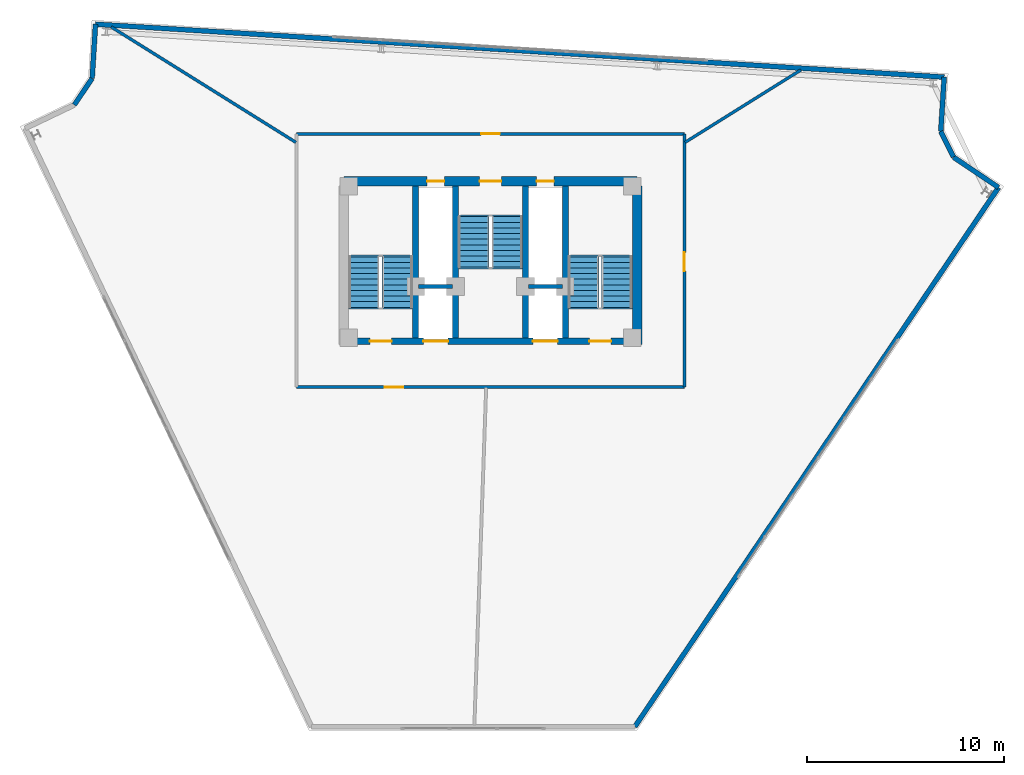
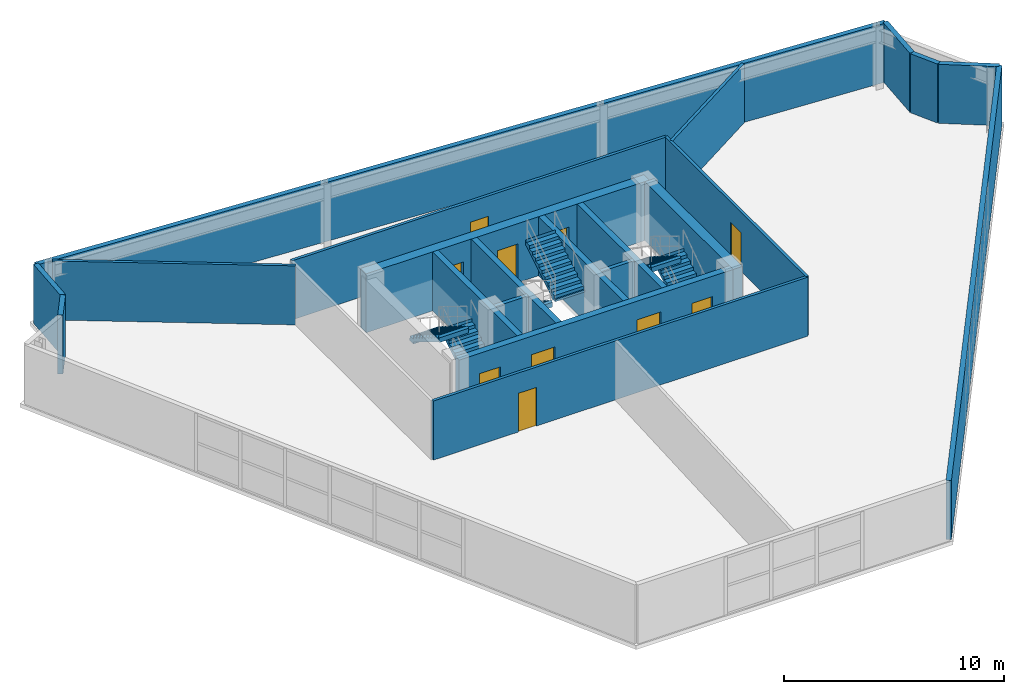
# One storey, part 7 of 8: 21 walls, 10 doors, 6 stair flights, 10 openings, 3 elements without a shape of their own.
"""IFC4 building model written with IfcOpenShell, lengths in metres."""

from ifc_helpers import new_model, si_unit, direction, frame, frame_2d, origin, place, context, subcontext, project, spatial, polyline, rectangle, outline, extrude, material, layer, layer_set, type_object, element, fill, aggregate, save


model = new_model("IFC4")

# Units and contexts
model_context = context("Model", 3, precision=1e-05, world=origin(), true_north=direction((0.0, 1.0)))
body_context = subcontext(model_context, "Body", "Model", "MODEL_VIEW")
ifc_project = project(units=[si_unit("LENGTHUNIT", "METRE"), si_unit("AREAUNIT", "SQUARE_METRE"), si_unit("VOLUMEUNIT", "CUBIC_METRE"), si_unit("PLANEANGLEUNIT", "RADIAN"), si_unit("MASSUNIT", "GRAM", prefix="KILO")], contexts=[model_context])

# Site, building, storey
site_placement = place(None, origin())
site = spatial("IfcSite", under=ifc_project, at=site_placement, CompositionType="ELEMENT")
building_placement = place(site_placement, origin())
building = spatial("IfcBuilding", under=site, at=building_placement, Name="Apsidion Concourse Tower", CompositionType="ELEMENT")
storey_placement = place(building_placement, frame((0.0, 0.0, 336.0)))
storey = spatial("IfcBuildingStorey", under=building, at=storey_placement, Name="L79", CompositionType="ELEMENT", Elevation=336.0)

# Walls
ifc_material_1 = material(Name="Precast concrete C40/50", Category="concrete")
ifc_layer_1 = layer(ifc_material_1, 0.25)
ifc_layer_set_1 = layer_set([ifc_layer_1], Name="Precast concrete C40/50")
wall_type_1 = type_object("IfcWallType", Name="WL-EXT-250", PredefinedType="STANDARD", material=ifc_layer_set_1)
wall_1_placement = place(storey_placement, frame((-21.134521484375, 13.278076171875, 0.0), z_axis=(0.0, 0.0, 1.0), x_axis=(0.559107950815, 0.829094867512, 0.0)))
element("IfcWall", 1, at=wall_1_placement, inside=storey, type_object=wall_type_1, Name="L79 Precast Stone Facade Wall 02", PredefinedType="STANDARD", context=body_context, shape_type="SweptSolid", body=[
    extrude(rectangle(XDim=1.620361328125, YDim=0.25, at=frame_2d((0.81005859375, 0.0))), origin(), (0.0, 0.0, 1.0), 3.280029296875),
])
wall_2_placement = place(storey_placement, frame((-20.228515625, 14.62158203125, 0.0), z_axis=(0.0, 0.0, 1.0), x_axis=(0.062361765106, 0.998053610911, 0.0)))
element("IfcWall", 2, at=wall_2_placement, inside=storey, type_object=wall_type_1, Name="L79 Precast Stone Facade Wall 03", PredefinedType="STANDARD", context=body_context, shape_type="SweptSolid", body=[
    extrude(rectangle(XDim=2.760009765625, YDim=0.25, at=frame_2d((1.3798828125, 0.0))), origin(), (0.0, 0.0, 1.0), 3.280029296875),
])
wall_3_placement = place(storey_placement, frame((-20.056396484375, 17.376220703125, 0.0), z_axis=(0.0, 0.0, 1.0), x_axis=(0.998061236898, -0.06223959674, 0.0)))
element("IfcWall", 3, at=wall_3_placement, inside=storey, type_object=wall_type_1, Name="L79 Precast Stone Facade Wall 04", PredefinedType="STANDARD", context=body_context, shape_type="SweptSolid", body=[
    extrude(rectangle(XDim=43.179931640625, YDim=0.25, at=frame_2d((21.58984375, 0.0))), origin(), (0.0, 0.0, 1.0), 3.280029296875),
])
wall_4_placement = place(storey_placement, frame((23.039794921875, 14.688720703125, 0.0), z_axis=(0.0, 0.0, 1.0), x_axis=(-0.062295651102, -0.998057739739, 0.0)))
element("IfcWall", 4, at=wall_4_placement, inside=storey, type_object=wall_type_1, Name="L79 Precast Stone Facade Wall 05", PredefinedType="STANDARD", context=body_context, shape_type="SweptSolid", body=[
    extrude(rectangle(XDim=2.759033203125, YDim=0.25, at=frame_2d((1.37939453125, 0.0))), origin(), (0.0, 0.0, 1.0), 3.280029296875),
])
wall_5_placement = place(storey_placement, frame((22.867919921875, 11.93505859375, 0.0), z_axis=(0.0, 0.0, 1.0), x_axis=(0.441785524615, -0.897120699929, 0.0)))
element("IfcWall", 5, at=wall_5_placement, inside=storey, type_object=wall_type_1, Name="L79 Precast Stone Facade Wall 06", PredefinedType="STANDARD", context=body_context, shape_type="SweptSolid", body=[
    extrude(rectangle(XDim=1.45947265625, YDim=0.25, at=frame_2d((0.729736328125, 0.0))), origin(), (0.0, 0.0, 1.0), 3.280029296875),
])
wall_6_placement = place(storey_placement, frame((23.5126953125, 10.625732421875, 0.0), z_axis=(0.0, 0.0, 1.0), x_axis=(0.829056864924, -0.559164300294, 0.0)))
element("IfcWall", 6, at=wall_6_placement, inside=storey, type_object=wall_type_1, Name="L79 Precast Stone Facade Wall 07", PredefinedType="STANDARD", context=body_context, shape_type="SweptSolid", body=[
    extrude(rectangle(XDim=2.759033203125, YDim=0.25, at=frame_2d((1.37939453125, 0.0))), origin(), (0.0, 0.0, 1.0), 3.280029296875),
])
wall_7_placement = place(storey_placement, frame((25.800048828125, 9.0830078125, 0.0), z_axis=(0.0, 0.0, 1.0), x_axis=(-0.559195190786, -0.829036029737, 0.0)))
element("IfcWall", 7, at=wall_7_placement, inside=storey, type_object=wall_type_1, Name="L79 Precast Stone Facade Wall 08", PredefinedType="STANDARD", context=body_context, shape_type="SweptSolid", body=[
    extrude(rectangle(XDim=33.030029296875, YDim=0.25, at=frame_2d((16.51513671875, 0.0))), origin(), (0.0, 0.0, 1.0), 3.280029296875),
])

# Wall, opening, door
ifc_material_2 = material(Name="Gypsum plasterboard partition")
ifc_layer_2 = layer(ifc_material_2, 0.14990234375)
ifc_layer_set_2 = layer_set([ifc_layer_2], Name="Gypsum plasterboard partition")
wall_type_2 = type_object("IfcWallType", Name="WL-INT-PAR-150", PredefinedType="PARTITIONING", material=ifc_layer_set_2)
wall_8_placement = place(storey_placement, frame((-9.85009765625, 11.800048828125, 0.0), z_axis=(0.0, 0.0, 1.0), x_axis=(1.0, 0.0, 0.0)))
wall_8 = element("IfcWall", 8, at=wall_8_placement, inside=storey, type_object=wall_type_2, Name="L79 Interior Partition WL-L79-CCR-1", PredefinedType="PARTITIONING", context=body_context, shape_type="SweptSolid", body=[
    extrude(rectangle(XDim=19.7001953125, YDim=0.14990234375, at=frame_2d((9.85009765625, 0.0))), origin(), (0.0, 0.0, 1.0), 3.280029296875),
])
opening_1_placement = place(wall_8_placement, frame((9.375, 0.0, 0.0)))
opening_1 = element("IfcOpeningElement", 9, at=opening_1_placement, cuts=wall_8, Name="Opening D-04L", PredefinedType="OPENING", context=body_context, shape_type="SweptSolid", body=[
    extrude(rectangle(XDim=0.949951171875, YDim=2.14990234375, at=frame_2d((0.47509765625, 1.074951171875))), frame((0.0, 0.0849609375, 0.0), z_axis=(0.0, -1.0, 0.0), x_axis=(1.0, 0.0, 0.0)), (0.0, 0.0, 1.0), 0.169921875),
])
ifc_material_3 = material(Name="Brushed stainless steel 316", Category="steel")
door_type_1 = type_object("IfcDoorType", Name="DR-INT-D04L", OperationType="SINGLE_SWING_LEFT", PredefinedType="DOOR", material=ifc_material_3)
door_1_placement = place(opening_1_placement, origin())
door_1 = element("IfcDoor", 10, at=door_1_placement, inside=storey, type_object=door_type_1, Name="L79 Crown Plant Door 3", OperationType="SINGLE_SWING_LEFT", OverallHeight=2.14990234375, OverallWidth=0.949951171875, PredefinedType="DOOR", context=body_context, shape_type="SweptSolid", body=[
    extrude(rectangle(XDim=0.949951171875, YDim=2.14990234375, at=frame_2d((0.47509765625, 1.074951171875))), frame((0.0, 0.02490234375, 0.0), z_axis=(0.0, -1.0, 0.0), x_axis=(1.0, 0.0, 0.0)), (0.0, 0.0, 1.0), 0.050048828125),
])
fill(opening_1, door_1)

wall_9_placement = place(storey_placement, frame((9.85009765625, 11.800048828125, 0.0), z_axis=(0.0, 0.0, 1.0), x_axis=(0.0, -1.0, 0.0)))
wall_9 = element("IfcWall", 11, at=wall_9_placement, inside=storey, type_object=wall_type_2, Name="L79 Interior Partition WL-L79-CCR-2", PredefinedType="PARTITIONING", context=body_context, shape_type="SweptSolid", body=[
    extrude(rectangle(XDim=12.85498046875, YDim=0.14990234375, at=frame_2d((6.427490234375, 0.0))), origin(), (0.0, 0.0, 1.0), 3.280029296875),
])
opening_2_placement = place(wall_9_placement, frame((6.015380859375, 0.0, 0.0)))
opening_2 = element("IfcOpeningElement", 12, at=opening_2_placement, cuts=wall_9, Name="Opening D-04R", PredefinedType="OPENING", context=body_context, shape_type="SweptSolid", body=[
    extrude(rectangle(XDim=0.949951171875, YDim=2.14990234375, at=frame_2d((0.47509765625, 1.074951171875))), frame((0.0, 0.0849609375, 0.0), z_axis=(0.0, -1.0, 0.0), x_axis=(1.0, 0.0, 0.0)), (0.0, 0.0, 1.0), 0.169921875),
])
door_type_2 = type_object("IfcDoorType", Name="DR-INT-D04R", OperationType="SINGLE_SWING_RIGHT", PredefinedType="DOOR", material=ifc_material_3)
door_2_placement = place(opening_2_placement, origin())
door_2 = element("IfcDoor", 13, at=door_2_placement, inside=storey, type_object=door_type_2, Name="L79 Crown Plant Door 2", OperationType="SINGLE_SWING_RIGHT", OverallHeight=2.14990234375, OverallWidth=0.949951171875, PredefinedType="DOOR", context=body_context, shape_type="SweptSolid", body=[
    extrude(rectangle(XDim=0.949951171875, YDim=2.14990234375, at=frame_2d((0.47509765625, 1.074951171875))), frame((0.0, 0.02490234375, 0.0), z_axis=(0.0, -1.0, 0.0), x_axis=(1.0, 0.0, 0.0)), (0.0, 0.0, 1.0), 0.050048828125),
])
fill(opening_2, door_2)

wall_10_placement = place(storey_placement, frame((9.85009765625, -1.054931640625, 0.0), z_axis=(0.0, 0.0, 1.0), x_axis=(-1.0, 0.0, 0.0)))
wall_10 = element("IfcWall", 14, at=wall_10_placement, inside=storey, type_object=wall_type_2, Name="L79 Interior Partition WL-L79-CCR-3", PredefinedType="PARTITIONING", context=body_context, shape_type="SweptSolid", body=[
    extrude(rectangle(XDim=19.7001953125, YDim=0.14990234375, at=frame_2d((9.85009765625, 0.0))), origin(), (0.0, 0.0, 1.0), 3.280029296875),
])
opening_3_placement = place(wall_10_placement, frame((14.2802734375, 0.0, 0.0)))
opening_3 = element("IfcOpeningElement", 15, at=opening_3_placement, cuts=wall_10, Name="Opening D-04L", PredefinedType="OPENING", context=body_context, shape_type="SweptSolid", body=[
    extrude(rectangle(XDim=0.949951171875, YDim=2.14990234375, at=frame_2d((0.47509765625, 1.074951171875))), frame((0.0, 0.0849609375, 0.0), z_axis=(0.0, -1.0, 0.0), x_axis=(1.0, 0.0, 0.0)), (0.0, 0.0, 1.0), 0.169921875),
])
door_3_placement = place(opening_3_placement, origin())
door_3 = element("IfcDoor", 16, at=door_3_placement, inside=storey, type_object=door_type_1, Name="L79 Crown Plant Door 1", OperationType="SINGLE_SWING_LEFT", OverallHeight=2.14990234375, OverallWidth=0.949951171875, PredefinedType="DOOR", context=body_context, shape_type="SweptSolid", body=[
    extrude(rectangle(XDim=0.949951171875, YDim=2.14990234375, at=frame_2d((0.47509765625, 1.074951171875))), frame((0.0, 0.02490234375, 0.0), z_axis=(0.0, -1.0, 0.0), x_axis=(1.0, 0.0, 0.0)), (0.0, 0.0, 1.0), 0.050048828125),
])
fill(opening_3, door_3)

# Walls
wall_11_placement = place(storey_placement, frame((9.8798828125, 11.373779296875, 0.0), z_axis=(0.0, 0.0, 1.0), x_axis=(0.848061528104, 0.529897768017, 0.0)))
element("IfcWall", 17, at=wall_11_placement, inside=storey, type_object=wall_type_2, Name="L79 Interior Partition WL-L79-CRD-1-1", PredefinedType="PARTITIONING", context=body_context, shape_type="SweptSolid", body=[
    extrude(rectangle(XDim=6.94140625, YDim=0.14990234375, at=frame_2d((3.470703125, 0.0))), origin(), (0.0, 0.0, 1.0), 3.280029296875),
])
wall_12_placement = place(storey_placement, frame((-9.8798828125, 11.373779296875, 0.0), z_axis=(0.0, 0.0, 1.0), x_axis=(-0.848047887242, 0.529919598567, 0.0)))
element("IfcWall", 18, at=wall_12_placement, inside=storey, type_object=wall_type_2, Name="L79 Interior Partition WL-L79-CRD-2-1", PredefinedType="PARTITIONING", context=body_context, shape_type="SweptSolid", body=[
    extrude(rectangle(XDim=11.06396484375, YDim=0.14990234375, at=frame_2d((5.531982421875, 0.0))), origin(), (0.0, 0.0, 1.0), 3.280029296875),
])
ifc_layer_3 = layer(ifc_material_2, 0.199951171875)
ifc_layer_set_3 = layer_set([ifc_layer_3], Name="Gypsum plasterboard partition")
wall_type_3 = type_object("IfcWallType", Name="WL-INT-PAR-200", PredefinedType="PARTITIONING", material=ifc_layer_set_3)
for number, where, z_axis, x_axis, name in (
    (19, (-3.64990234375, 4.050048828125, 0.0), (0.0, 0.0, 1.0), (1.0, 0.0, 0.0), "L79 Interior Partition WL-L79-FF1-N"),
    (20, (1.919921875, 4.050048828125, 0.0), (0.0, 0.0, 1.0), (1.0, 0.0, 0.0), "L79 Interior Partition WL-L79-FF2-N"),
):
    element("IfcWall", number, at=place(storey_placement, frame(where, z_axis=z_axis, x_axis=x_axis)), inside=storey, type_object=wall_type_3, Name=name, PredefinedType="PARTITIONING", context=body_context, shape_type="SweptSolid", body=[
        extrude(rectangle(XDim=1.72998046875, YDim=0.199951171875, at=frame_2d((0.864990234375, 0.0))), origin(), (0.0, 0.0, 1.0), 3.280029296875),
    ])
ifc_material_4 = material(Name="Concrete C50/60", Category="concrete")
ifc_layer_4 = layer(ifc_material_4, 0.300048828125)
ifc_layer_set_4 = layer_set([ifc_layer_4], Name="Concrete C50/60")
wall_type_4 = type_object("IfcWallType", Name="WL-SH-300", PredefinedType="SHEAR", material=ifc_layer_set_4)
for number, where, z_axis, x_axis, name in (
    (21, (-3.800048828125, 1.449951171875, 0.0), (0.0, 0.0, 1.0), (0.0, 1.0, 0.0), "L79 Central Core Shear Wall V1"),
    (22, (-1.77490234375, 1.449951171875, 0.0), (0.0, 0.0, 1.0), (0.0, 1.0, 0.0), "L79 Central Core Shear Wall V2"),
    (23, (1.77490234375, 1.449951171875, 0.0), (0.0, 0.0, 1.0), (0.0, 1.0, 0.0), "L79 Central Core Shear Wall V3"),
    (24, (3.800048828125, 1.449951171875, 0.0), (0.0, 0.0, 1.0), (0.0, 1.0, 0.0), "L79 Central Core Shear Wall V4"),
):
    element("IfcWall", number, at=place(storey_placement, frame(where, z_axis=z_axis, x_axis=x_axis)), inside=storey, type_object=wall_type_4, Name=name, PredefinedType="SHEAR", context=body_context, shape_type="SweptSolid", body=[
        extrude(rectangle(XDim=7.699951171875, YDim=0.300048828125, at=frame_2d((3.85009765625, 0.0))), origin(), (0.0, 0.0, 1.0), 3.280029296875),
    ])

# Wall, openings, doors
ifc_layer_5 = layer(ifc_material_4, 0.35009765625)
ifc_layer_set_5 = layer_set([ifc_layer_5], Name="Concrete C50/60")
wall_type_5 = type_object("IfcWallType", Name="WL-SH-350", PredefinedType="SHEAR", material=ifc_layer_set_5)
wall_13_placement = place(storey_placement, frame((-7.199951171875, 1.27490234375, 0.0), z_axis=(0.0, 0.0, 1.0), x_axis=(1.0, 0.0, 0.0)))
wall_13 = element("IfcWall", 25, at=wall_13_placement, inside=storey, type_object=wall_type_5, Name="L79 Central Core Shear Wall M1", PredefinedType="SHEAR", context=body_context, shape_type="SweptSolid", body=[
    extrude(rectangle(XDim=14.39990234375, YDim=0.35009765625, at=frame_2d((7.199951171875, 0.0))), origin(), (0.0, 0.0, 1.0), 3.280029296875),
])
opening_4_placement = place(wall_13_placement, frame((3.794921875, 0.0, 0.0)))
opening_4 = element("IfcOpeningElement", 26, at=opening_4_placement, cuts=wall_13, Name="Opening LD-FF", PredefinedType="OPENING", context=body_context, shape_type="SweptSolid", body=[
    extrude(rectangle(XDim=1.25, YDim=2.25, at=frame_2d((0.625, 1.125))), frame((0.0, 0.18505859375, 0.0), z_axis=(0.0, -1.0, 0.0), x_axis=(1.0, 0.0, 0.0)), (0.0, 0.0, 1.0), 0.3701171875),
])
opening_5_placement = place(wall_13_placement, frame((9.35498046875, 0.0, 0.0)))
opening_5 = element("IfcOpeningElement", 27, at=opening_5_placement, cuts=wall_13, Name="Opening LD-FF", PredefinedType="OPENING", context=body_context, shape_type="SweptSolid", body=[
    extrude(rectangle(XDim=1.25, YDim=2.25, at=frame_2d((0.625, 1.125))), frame((0.0, 0.18505859375, 0.0), z_axis=(0.0, -1.0, 0.0), x_axis=(1.0, 0.0, 0.0)), (0.0, 0.0, 1.0), 0.3701171875),
])
opening_6_placement = place(wall_13_placement, frame((1.074951171875, 0.0, 0.0)))
opening_6 = element("IfcOpeningElement", 28, at=opening_6_placement, cuts=wall_13, Name="Opening D-STL", PredefinedType="OPENING", context=body_context, shape_type="SweptSolid", body=[
    extrude(rectangle(XDim=1.10009765625, YDim=2.14990234375, at=frame_2d((0.550048828125, 1.074951171875))), frame((0.0, 0.18505859375, 0.0), z_axis=(0.0, -1.0, 0.0), x_axis=(1.0, 0.0, 0.0)), (0.0, 0.0, 1.0), 0.3701171875),
])
opening_7_placement = place(wall_13_placement, frame((12.22509765625, 0.0, 0.0)))
opening_7 = element("IfcOpeningElement", 29, at=opening_7_placement, cuts=wall_13, Name="Opening D-STR", PredefinedType="OPENING", context=body_context, shape_type="SweptSolid", body=[
    extrude(rectangle(XDim=1.10009765625, YDim=2.14990234375, at=frame_2d((0.550048828125, 1.074951171875))), frame((0.0, 0.18505859375, 0.0), z_axis=(0.0, -1.0, 0.0), x_axis=(1.0, 0.0, 0.0)), (0.0, 0.0, 1.0), 0.3701171875),
])
door_type_3 = type_object("IfcDoorType", Name="DR-INT-ST1L", OperationType="SINGLE_SWING_LEFT", PredefinedType="DOOR", material=ifc_material_3)
door_4_placement = place(opening_6_placement, origin())
door_4 = element("IfcDoor", 30, at=door_4_placement, inside=storey, type_object=door_type_3, Name="L79 Core Exit Stair ST1 Door", OperationType="SINGLE_SWING_LEFT", OverallHeight=2.14990234375, OverallWidth=1.10009765625, PredefinedType="DOOR", context=body_context, shape_type="SweptSolid", body=[
    extrude(rectangle(XDim=1.10009765625, YDim=2.14990234375, at=frame_2d((0.550048828125, 1.074951171875))), frame((0.0, 0.02490234375, 0.0), z_axis=(0.0, -1.0, 0.0), x_axis=(1.0, 0.0, 0.0)), (0.0, 0.0, 1.0), 0.050048828125),
])
fill(opening_6, door_4)
door_type_4 = type_object("IfcDoorType", Name="DR-INT-ST1R", OperationType="SINGLE_SWING_RIGHT", PredefinedType="DOOR", material=ifc_material_3)
door_5_placement = place(opening_7_placement, origin())
door_5 = element("IfcDoor", 31, at=door_5_placement, inside=storey, type_object=door_type_4, Name="L79 Core Exit Stair ST2 Door", OperationType="SINGLE_SWING_RIGHT", OverallHeight=2.14990234375, OverallWidth=1.10009765625, PredefinedType="DOOR", context=body_context, shape_type="SweptSolid", body=[
    extrude(rectangle(XDim=1.10009765625, YDim=2.14990234375, at=frame_2d((0.550048828125, 1.074951171875))), frame((0.0, 0.02490234375, 0.0), z_axis=(0.0, -1.0, 0.0), x_axis=(1.0, 0.0, 0.0)), (0.0, 0.0, 1.0), 0.050048828125),
])
fill(opening_7, door_5)
door_type_5 = type_object("IfcDoorType", Name="DR-LD-FSAE", OperationType="DOUBLE_DOOR_SLIDING", PredefinedType="DOOR", material=ifc_material_3)
door_6_placement = place(opening_4_placement, origin())
door_6 = element("IfcDoor", 32, at=door_6_placement, inside=storey, type_object=door_type_5, Name="L79 Lift Landing Door FF1", OperationType="DOUBLE_DOOR_SLIDING", OverallHeight=2.25, OverallWidth=1.25, PredefinedType="DOOR", context=body_context, shape_type="SweptSolid", body=[
    extrude(rectangle(XDim=1.25, YDim=2.25, at=frame_2d((0.625, 1.125))), frame((0.0, 0.02490234375, 0.0), z_axis=(0.0, -1.0, 0.0), x_axis=(1.0, 0.0, 0.0)), (0.0, 0.0, 1.0), 0.050048828125),
])
fill(opening_4, door_6)
door_7_placement = place(opening_5_placement, origin())
door_7 = element("IfcDoor", 33, at=door_7_placement, inside=storey, type_object=door_type_5, Name="L79 Lift Landing Door FF2", OperationType="DOUBLE_DOOR_SLIDING", OverallHeight=2.25, OverallWidth=1.25, PredefinedType="DOOR", context=body_context, shape_type="SweptSolid", body=[
    extrude(rectangle(XDim=1.25, YDim=2.25, at=frame_2d((0.625, 1.125))), frame((0.0, 0.02490234375, 0.0), z_axis=(0.0, -1.0, 0.0), x_axis=(1.0, 0.0, 0.0)), (0.0, 0.0, 1.0), 0.050048828125),
])
fill(opening_5, door_7)

ifc_layer_6 = layer(ifc_material_4, 0.5)
ifc_layer_set_6 = layer_set([ifc_layer_6], Name="Concrete C50/60")
wall_type_6 = type_object("IfcWallType", Name="WL-SH-500", PredefinedType="SHEAR", material=ifc_layer_set_6)
wall_14_placement = place(storey_placement, frame((-7.449951171875, 9.39990234375, 0.0), z_axis=(0.0, 0.0, 1.0), x_axis=(1.0, 0.0, 0.0)))
wall_14 = element("IfcWall", 34, at=wall_14_placement, inside=storey, type_object=wall_type_6, Name="L79 Central Core Shear Wall N", PredefinedType="SHEAR", context=body_context, shape_type="SweptSolid", body=[
    extrude(rectangle(XDim=14.89990234375, YDim=0.5, at=frame_2d((7.449951171875, 0.0))), origin(), (0.0, 0.0, 1.0), 3.280029296875),
])
opening_8_placement = place(wall_14_placement, frame((6.89990234375, 0.0, 0.0)))
opening_8 = element("IfcOpeningElement", 35, at=opening_8_placement, cuts=wall_14, Name="Opening D-STL", PredefinedType="OPENING", context=body_context, shape_type="SweptSolid", body=[
    extrude(rectangle(XDim=1.10009765625, YDim=2.14990234375, at=frame_2d((0.550048828125, 1.074951171875))), frame((0.0, 0.260009765625, 0.0), z_axis=(0.0, -1.0, 0.0), x_axis=(1.0, 0.0, 0.0)), (0.0, 0.0, 1.0), 0.52001953125),
])
opening_9_placement = place(wall_14_placement, frame((4.22998046875, 0.0, 0.0)))
opening_9 = element("IfcOpeningElement", 36, at=opening_9_placement, cuts=wall_14, Name="Opening D-05L", PredefinedType="OPENING", context=body_context, shape_type="SweptSolid", body=[
    extrude(rectangle(XDim=0.8798828125, YDim=2.14990234375, at=frame_2d((0.43994140625, 1.074951171875))), frame((0.0, 0.260009765625, 0.0), z_axis=(0.0, -1.0, 0.0), x_axis=(1.0, 0.0, 0.0)), (0.0, 0.0, 1.0), 0.52001953125),
])
opening_10_placement = place(wall_14_placement, frame((9.7900390625, 0.0, 0.0)))
opening_10 = element("IfcOpeningElement", 37, at=opening_10_placement, cuts=wall_14, Name="Opening D-05R", PredefinedType="OPENING", context=body_context, shape_type="SweptSolid", body=[
    extrude(rectangle(XDim=0.8798828125, YDim=2.14990234375, at=frame_2d((0.43994140625, 1.074951171875))), frame((0.0, 0.260009765625, 0.0), z_axis=(0.0, -1.0, 0.0), x_axis=(1.0, 0.0, 0.0)), (0.0, 0.0, 1.0), 0.52001953125),
])
door_type_6 = type_object("IfcDoorType", Name="DR-INT-D05L", OperationType="SINGLE_SWING_LEFT", PredefinedType="DOOR", material=ifc_material_3)
door_8_placement = place(opening_9_placement, origin())
door_8 = element("IfcDoor", 38, at=door_8_placement, inside=storey, type_object=door_type_6, Name="L79 Electrical Riser Shaft Access Door", OperationType="SINGLE_SWING_LEFT", OverallHeight=2.14990234375, OverallWidth=0.8798828125, PredefinedType="DOOR", context=body_context, shape_type="SweptSolid", body=[
    extrude(rectangle(XDim=0.8798828125, YDim=2.14990234375, at=frame_2d((0.43994140625, 1.074951171875))), frame((0.0, 0.02490234375, 0.0), z_axis=(0.0, -1.0, 0.0), x_axis=(1.0, 0.0, 0.0)), (0.0, 0.0, 1.0), 0.050048828125),
])
fill(opening_9, door_8)
door_type_7 = type_object("IfcDoorType", Name="DR-INT-D05R", OperationType="SINGLE_SWING_RIGHT", PredefinedType="DOOR", material=ifc_material_3)
door_9_placement = place(opening_10_placement, origin())
door_9 = element("IfcDoor", 39, at=door_9_placement, inside=storey, type_object=door_type_7, Name="L79 Mechanical Riser Shaft Access Door", OperationType="SINGLE_SWING_RIGHT", OverallHeight=2.14990234375, OverallWidth=0.8798828125, PredefinedType="DOOR", context=body_context, shape_type="SweptSolid", body=[
    extrude(rectangle(XDim=0.8798828125, YDim=2.14990234375, at=frame_2d((0.43994140625, 1.074951171875))), frame((0.0, 0.02490234375, 0.0), z_axis=(0.0, -1.0, 0.0), x_axis=(1.0, 0.0, 0.0)), (0.0, 0.0, 1.0), 0.050048828125),
])
fill(opening_10, door_9)
door_10_placement = place(opening_8_placement, origin())
door_10 = element("IfcDoor", 40, at=door_10_placement, inside=storey, type_object=door_type_3, Name="L79 Core Exit Stair ST3 Door", OperationType="SINGLE_SWING_LEFT", OverallHeight=2.14990234375, OverallWidth=1.10009765625, PredefinedType="DOOR", context=body_context, shape_type="SweptSolid", body=[
    extrude(rectangle(XDim=1.10009765625, YDim=2.14990234375, at=frame_2d((0.550048828125, 1.074951171875))), frame((0.0, 0.02490234375, 0.0), z_axis=(0.0, -1.0, 0.0), x_axis=(1.0, 0.0, 0.0)), (0.0, 0.0, 1.0), 0.050048828125),
])
fill(opening_8, door_10)

# Wall
wall_15_placement = place(storey_placement, frame((7.449951171875, 1.10009765625, 0.0), z_axis=(0.0, 0.0, 1.0), x_axis=(0.0, 1.0, 0.0)))
element("IfcWall", 41, at=wall_15_placement, inside=storey, type_object=wall_type_6, Name="L79 Central Core Shear Wall EN", PredefinedType="SHEAR", context=body_context, shape_type="SweptSolid", body=[
    extrude(rectangle(XDim=8.0498046875, YDim=0.5, at=frame_2d((4.02490234375, 0.0))), origin(), (0.0, 0.0, 1.0), 3.280029296875),
])

# Stair, stair flights
stair_type = type_object("IfcStairType", Name="ST-DL-1550", PredefinedType="HALF_TURN_STAIR", material=ifc_material_1)
stair_1_placement = place(storey_placement, origin())
stair_1 = element("IfcStair", 42, at=stair_1_placement, inside=storey, type_object=stair_type, Name="L79 Protected Core Exit Stair ST1", PredefinedType="HALF_TURN_STAIR")
stair_flight_type = type_object("IfcStairFlightType", Name="SFL-RC-1550", PredefinedType="STRAIGHT", material=ifc_material_1)
stair_flight_1_placement = place(storey_placement, frame((-4.72509765625, 3.0, 0.0), z_axis=(0.0, 0.0, 1.0), x_axis=(0.0, 1.0, 0.0)))
stair_flight_1 = element("IfcStairFlight", 43, at=stair_flight_1_placement, type_object=stair_flight_type, Name="ST1 flight 1", NumberOfRisers=10, NumberOfTreads=9, PredefinedType="STRAIGHT", RiserHeight=0.175, TreadLength=0.285, context=body_context, shape_type="SweptSolid", body=[
    extrude(outline(polyline([(-0.080078125, -0.1123046875), (-0.080078125, 0.0), (0.0, 0.0), (0.0, 0.175048828125), (0.284912109375, 0.175048828125), (0.284912109375, 0.35009765625), (0.570068359375, 0.35009765625), (0.570068359375, 0.52490234375), (0.85498046875, 0.52490234375), (0.85498046875, 0.699951171875), (1.139892578125, 0.699951171875), (1.139892578125, 0.875), (1.425048828125, 0.875), (1.425048828125, 1.050048828125), (1.7099609375, 1.050048828125), (1.7099609375, 1.22509765625), (1.9951171875, 1.22509765625), (1.9951171875, 1.39990234375), (2.280029296875, 1.39990234375), (2.280029296875, 1.574951171875), (2.56494140625, 1.574951171875), (2.56494140625, 1.75), (2.64501953125, 1.66259765625), (2.64501953125, 1.399169921875), (2.56494140625, 1.399169921875), (0.286376953125, 0.0), (0.286376953125, -0.1123046875), (-0.080078125, -0.1123046875)])), frame((0.0, 0.77490234375, 0.0), z_axis=(0.0, -1.0, 0.0), x_axis=(1.0, 0.0, 0.0)), (0.0, 0.0, 1.0), 1.550048828125),
])
stair_flight_2_placement = place(storey_placement, frame((-6.425048828125, 5.56494140625, 1.75), z_axis=(0.0, 0.0, 1.0), x_axis=(0.0, -1.0, 0.0)))
stair_flight_2 = element("IfcStairFlight", 44, at=stair_flight_2_placement, type_object=stair_flight_type, Name="ST1 flight 2", NumberOfRisers=10, NumberOfTreads=9, PredefinedType="STRAIGHT", RiserHeight=0.175, TreadLength=0.285, context=body_context, shape_type="SweptSolid", body=[
    extrude(outline(polyline([(-0.080078125, -0.1123046875), (-0.080078125, 0.0), (0.0, 0.0), (0.0, 0.175048828125), (0.284912109375, 0.175048828125), (0.284912109375, 0.35009765625), (0.570068359375, 0.35009765625), (0.570068359375, 0.52490234375), (0.85498046875, 0.52490234375), (0.85498046875, 0.699951171875), (1.139892578125, 0.699951171875), (1.139892578125, 0.875), (1.425048828125, 0.875), (1.425048828125, 1.050048828125), (1.7099609375, 1.050048828125), (1.7099609375, 1.22509765625), (1.9951171875, 1.22509765625), (1.9951171875, 1.39990234375), (2.280029296875, 1.39990234375), (2.280029296875, 1.574951171875), (2.56494140625, 1.574951171875), (2.56494140625, 1.75), (2.64501953125, 1.66259765625), (2.64501953125, 1.399169921875), (2.56494140625, 1.399169921875), (0.286376953125, 0.0), (0.286376953125, -0.1123046875), (-0.080078125, -0.1123046875)])), frame((0.0, 0.77490234375, 0.0), z_axis=(0.0, -1.0, 0.0), x_axis=(1.0, 0.0, 0.0)), (0.0, 0.0, 1.0), 1.550048828125),
])
aggregate(stair_1, [stair_flight_1, stair_flight_2])

stair_2_placement = place(storey_placement, origin())
stair_2 = element("IfcStair", 45, at=stair_2_placement, inside=storey, type_object=stair_type, Name="L79 Protected Core Exit Stair ST2", PredefinedType="HALF_TURN_STAIR")
stair_flight_3_placement = place(storey_placement, frame((6.425048828125, 3.0, 0.0), z_axis=(0.0, 0.0, 1.0), x_axis=(0.0, 1.0, 0.0)))
stair_flight_3 = element("IfcStairFlight", 46, at=stair_flight_3_placement, type_object=stair_flight_type, Name="ST2 flight 1", NumberOfRisers=10, NumberOfTreads=9, PredefinedType="STRAIGHT", RiserHeight=0.175, TreadLength=0.285, context=body_context, shape_type="SweptSolid", body=[
    extrude(outline(polyline([(-0.080078125, -0.1123046875), (-0.080078125, 0.0), (0.0, 0.0), (0.0, 0.175048828125), (0.284912109375, 0.175048828125), (0.284912109375, 0.35009765625), (0.570068359375, 0.35009765625), (0.570068359375, 0.52490234375), (0.85498046875, 0.52490234375), (0.85498046875, 0.699951171875), (1.139892578125, 0.699951171875), (1.139892578125, 0.875), (1.425048828125, 0.875), (1.425048828125, 1.050048828125), (1.7099609375, 1.050048828125), (1.7099609375, 1.22509765625), (1.9951171875, 1.22509765625), (1.9951171875, 1.39990234375), (2.280029296875, 1.39990234375), (2.280029296875, 1.574951171875), (2.56494140625, 1.574951171875), (2.56494140625, 1.75), (2.64501953125, 1.66259765625), (2.64501953125, 1.399169921875), (2.56494140625, 1.399169921875), (0.286376953125, 0.0), (0.286376953125, -0.1123046875), (-0.080078125, -0.1123046875)])), frame((0.0, 0.77490234375, 0.0), z_axis=(0.0, -1.0, 0.0), x_axis=(1.0, 0.0, 0.0)), (0.0, 0.0, 1.0), 1.550048828125),
])
stair_flight_4_placement = place(storey_placement, frame((4.72509765625, 5.56494140625, 1.75), z_axis=(0.0, 0.0, 1.0), x_axis=(0.0, -1.0, 0.0)))
stair_flight_4 = element("IfcStairFlight", 47, at=stair_flight_4_placement, type_object=stair_flight_type, Name="ST2 flight 2", NumberOfRisers=10, NumberOfTreads=9, PredefinedType="STRAIGHT", RiserHeight=0.175, TreadLength=0.285, context=body_context, shape_type="SweptSolid", body=[
    extrude(outline(polyline([(-0.080078125, -0.1123046875), (-0.080078125, 0.0), (0.0, 0.0), (0.0, 0.175048828125), (0.284912109375, 0.175048828125), (0.284912109375, 0.35009765625), (0.570068359375, 0.35009765625), (0.570068359375, 0.52490234375), (0.85498046875, 0.52490234375), (0.85498046875, 0.699951171875), (1.139892578125, 0.699951171875), (1.139892578125, 0.875), (1.425048828125, 0.875), (1.425048828125, 1.050048828125), (1.7099609375, 1.050048828125), (1.7099609375, 1.22509765625), (1.9951171875, 1.22509765625), (1.9951171875, 1.39990234375), (2.280029296875, 1.39990234375), (2.280029296875, 1.574951171875), (2.56494140625, 1.574951171875), (2.56494140625, 1.75), (2.64501953125, 1.66259765625), (2.64501953125, 1.399169921875), (2.56494140625, 1.399169921875), (0.286376953125, 0.0), (0.286376953125, -0.1123046875), (-0.080078125, -0.1123046875)])), frame((0.0, 0.77490234375, 0.0), z_axis=(0.0, -1.0, 0.0), x_axis=(1.0, 0.0, 0.0)), (0.0, 0.0, 1.0), 1.550048828125),
])
aggregate(stair_2, [stair_flight_3, stair_flight_4])

stair_3_placement = place(storey_placement, origin())
stair_3 = element("IfcStair", 48, at=stair_3_placement, inside=storey, type_object=stair_type, Name="L79 Protected Core Exit Stair ST3", PredefinedType="HALF_TURN_STAIR")
stair_flight_5_placement = place(storey_placement, frame((-0.85009765625, 7.60009765625, 0.0), z_axis=(0.0, 0.0, 1.0), x_axis=(0.0, -1.0, 0.0)))
stair_flight_5 = element("IfcStairFlight", 49, at=stair_flight_5_placement, type_object=stair_flight_type, Name="ST3 flight 1", NumberOfRisers=10, NumberOfTreads=9, PredefinedType="STRAIGHT", RiserHeight=0.175, TreadLength=0.285, context=body_context, shape_type="SweptSolid", body=[
    extrude(outline(polyline([(-0.080078125, -0.1123046875), (-0.080078125, 0.0), (0.0, 0.0), (0.0, 0.175048828125), (0.284912109375, 0.175048828125), (0.284912109375, 0.35009765625), (0.570068359375, 0.35009765625), (0.570068359375, 0.52490234375), (0.85498046875, 0.52490234375), (0.85498046875, 0.699951171875), (1.139892578125, 0.699951171875), (1.139892578125, 0.875), (1.425048828125, 0.875), (1.425048828125, 1.050048828125), (1.7099609375, 1.050048828125), (1.7099609375, 1.22509765625), (1.9951171875, 1.22509765625), (1.9951171875, 1.39990234375), (2.280029296875, 1.39990234375), (2.280029296875, 1.574951171875), (2.56494140625, 1.574951171875), (2.56494140625, 1.75), (2.64501953125, 1.66259765625), (2.64501953125, 1.399169921875), (2.56494140625, 1.399169921875), (0.286376953125, 0.0), (0.286376953125, -0.1123046875), (-0.080078125, -0.1123046875)])), frame((0.0, 0.77490234375, 0.0), z_axis=(0.0, -1.0, 0.0), x_axis=(1.0, 0.0, 0.0)), (0.0, 0.0, 1.0), 1.550048828125),
])
stair_flight_6_placement = place(storey_placement, frame((0.85009765625, 5.034912109375, 1.75), z_axis=(0.0, 0.0, 1.0), x_axis=(0.0, 1.0, 0.0)))
stair_flight_6 = element("IfcStairFlight", 50, at=stair_flight_6_placement, type_object=stair_flight_type, Name="ST3 flight 2", NumberOfRisers=10, NumberOfTreads=9, PredefinedType="STRAIGHT", RiserHeight=0.175, TreadLength=0.285, context=body_context, shape_type="SweptSolid", body=[
    extrude(outline(polyline([(-0.080078125, -0.1123046875), (-0.080078125, 0.0), (0.0, 0.0), (0.0, 0.175048828125), (0.284912109375, 0.175048828125), (0.284912109375, 0.35009765625), (0.570068359375, 0.35009765625), (0.570068359375, 0.52490234375), (0.85498046875, 0.52490234375), (0.85498046875, 0.699951171875), (1.139892578125, 0.699951171875), (1.139892578125, 0.875), (1.425048828125, 0.875), (1.425048828125, 1.050048828125), (1.7099609375, 1.050048828125), (1.7099609375, 1.22509765625), (1.9951171875, 1.22509765625), (1.9951171875, 1.39990234375), (2.280029296875, 1.39990234375), (2.280029296875, 1.574951171875), (2.56494140625, 1.574951171875), (2.56494140625, 1.75), (2.64501953125, 1.66259765625), (2.64501953125, 1.399169921875), (2.56494140625, 1.399169921875), (0.286376953125, 0.0), (0.286376953125, -0.1123046875), (-0.080078125, -0.1123046875)])), frame((0.0, 0.77490234375, 0.0), z_axis=(0.0, -1.0, 0.0), x_axis=(1.0, 0.0, 0.0)), (0.0, 0.0, 1.0), 1.550048828125),
])
aggregate(stair_3, [stair_flight_5, stair_flight_6])

save(model, "model.ifc")
